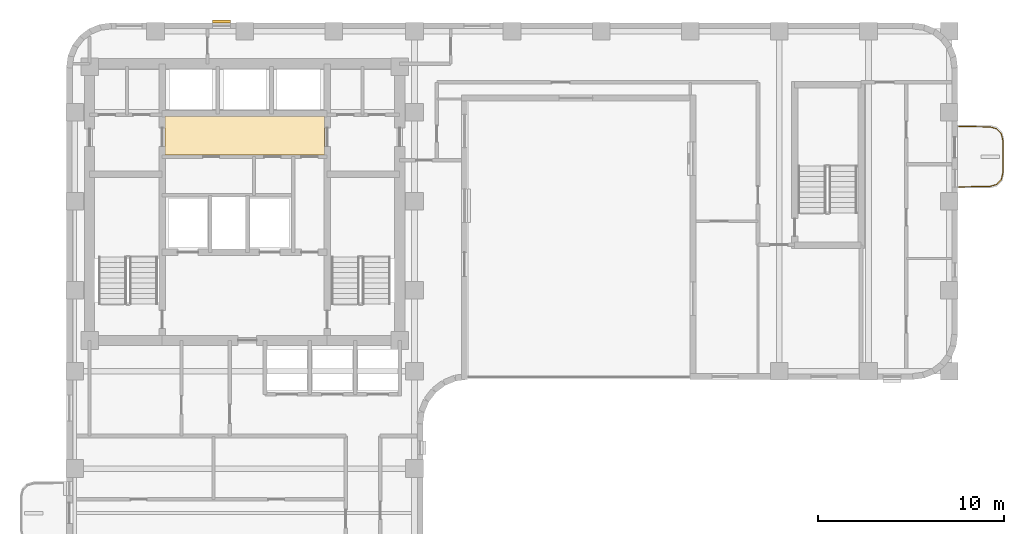
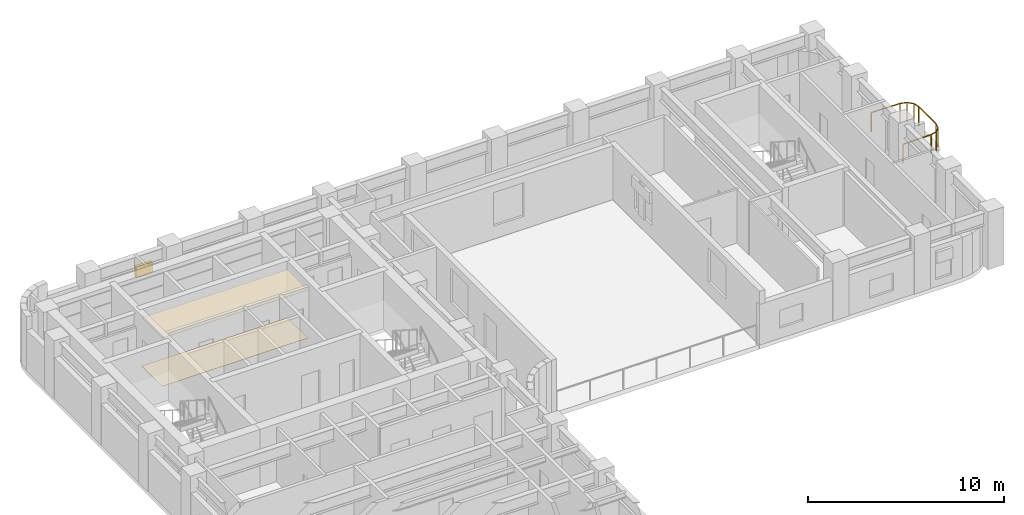
# One storey, part 9 of 9: 2 coverings, 1 railing, 1 shading device.
"""IFC4 building model written with IfcOpenShell, lengths in metres."""

from ifc_helpers import new_model, si_unit, direction, frame, origin, origin_2d, place, context, subcontext, project, spatial, polyline, rectangle, outline, extrude, material, layer, layer_set, type_object, element, save


model = new_model("IFC4")

# Units and contexts
model_context = context("Model", 3, precision=1e-05, world=origin(), true_north=direction((0.0, 1.0)))
body_context = subcontext(model_context, "Body", "Model", "MODEL_VIEW")
ifc_project = project(units=[si_unit("LENGTHUNIT", "METRE"), si_unit("AREAUNIT", "SQUARE_METRE"), si_unit("VOLUMEUNIT", "CUBIC_METRE"), si_unit("PLANEANGLEUNIT", "RADIAN"), si_unit("MASSUNIT", "GRAM", prefix="KILO")], contexts=[model_context])

# Site, building, storey
site_placement = place(None, origin())
site = spatial("IfcSite", under=ifc_project, at=site_placement, CompositionType="ELEMENT")
building_placement = place(site_placement, origin())
building = spatial("IfcBuilding", under=site, at=building_placement, Name="Orvandelia Arch Residences", CompositionType="ELEMENT")
storey_placement = place(building_placement, frame((0.0, 0.0, 154.0)))
storey = spatial("IfcBuildingStorey", under=building, at=storey_placement, Name="L40", CompositionType="ELEMENT", Elevation=154.0)

# Coverings
ifc_material_1 = material(Name="Perforated Acoustic Mineral-Fibre Ceiling")
ifc_layer_1 = layer(ifc_material_1, 0.02490234375, Name="Perforated Acoustic Mineral-Fibre Ceiling")
ifc_layer_set_1 = layer_set([ifc_layer_1], Name="Perforated Acoustic Mineral-Fibre Ceiling")
covering_type_1 = type_object("IfcCoveringType", Name="COV-CEIL-ACOUSTIC", PredefinedType="CEILING", material=ifc_layer_set_1)
covering_1_placement = place(storey_placement, frame((0.0, 0.0, 3.010009765625)))
element("IfcCovering", 1, at=covering_1_placement, inside=storey, type_object=covering_type_1, Name="Lift Hall Suspended Acoustic Ceiling L40", PredefinedType="CEILING", context=body_context, shape_type="SweptSolid", body=[
    extrude(outline(polyline([(10.10009765625, 40.8798828125), (18.699951171875, 40.8798828125), (18.699951171875, 42.97998046875), (10.10009765625, 42.97998046875), (10.10009765625, 40.8798828125)])), origin(), (0.0, 0.0, 1.0), 0.02490234375),
])
ifc_material_2 = material(Name="Engineered Oak Flooring")
ifc_layer_2 = layer(ifc_material_2, 0.02001953125, Name="Engineered Oak Flooring")
ifc_layer_set_2 = layer_set([ifc_layer_2], Name="Engineered Oak Flooring")
covering_type_2 = type_object("IfcCoveringType", Name="COV-FLOOR-TIMBER", PredefinedType="FLOORING", material=ifc_layer_set_2)
covering_2_placement = place(storey_placement, origin())
element("IfcCovering", 2, at=covering_2_placement, inside=storey, type_object=covering_type_2, Name="Lift Hall Finish Flooring L40", PredefinedType="FLOORING", context=body_context, shape_type="SweptSolid", body=[
    extrude(outline(polyline([(10.10009765625, 40.8798828125), (18.699951171875, 40.8798828125), (18.699951171875, 42.97998046875), (10.10009765625, 42.97998046875), (10.10009765625, 40.8798828125)])), origin(), (0.0, 0.0, 1.0), 0.02001953125),
])

# Railing
ifc_material_3 = material(Name="Marine-Grade Stainless Steel 316", Category="steel")
railing_type = type_object("IfcRailingType", Name="GRD-BAL-1200", PredefinedType="BALUSTRADE", material=ifc_material_3)
railing_placement = place(storey_placement, frame((52.871826171875, 39.169677734375, 0.0)))
element("IfcRailing", 3, at=railing_placement, inside=storey, type_object=railing_type, Name="Safety Balustrade Guard GRD-L40-BAL-L40-E1-1", PredefinedType="BALUSTRADE", context=body_context, shape_type="SweptSolid", body=[
    extrude(rectangle(XDim=0.048095703125, YDim=0.048095703125, at=origin_2d()), frame((0.0, 0.0, 1.19580078125), z_axis=(0.999837384468, 0.018033430643, 0.0), x_axis=(-0.018033430643, 0.999837384468, 0.0)), (0.0, 0.0, 1.0), 1.6787109375),
    extrude(rectangle(XDim=0.048095703125, YDim=0.048095703125, at=origin_2d()), frame((1.678466796875, 0.0302734375, 1.19580078125), z_axis=(0.96348920644, 0.267747173792, 0.0), x_axis=(-0.267747173792, 0.96348920644, 0.0)), (0.0, 0.0, 1.0), 0.36572265625),
    extrude(rectangle(XDim=0.048095703125, YDim=0.048095703125, at=origin_2d()), frame((2.03076171875, 0.128173828125, 1.19580078125), z_axis=(0.687947031175, 0.725760898848, 0.0), x_axis=(-0.725760898848, 0.687947031175, 0.0)), (0.0, 0.0, 1.0), 0.367919921875),
    extrude(rectangle(XDim=0.048095703125, YDim=0.048095703125, at=origin_2d()), frame((2.283935546875, 0.395263671875, 1.19580078125), z_axis=(0.221225034864, 0.975222786828, 0.0), x_axis=(-0.975222786828, 0.221225034864, 0.0)), (0.0, 0.0, 1.0), 0.373046875),
    extrude(rectangle(XDim=0.048095703125, YDim=0.048095703125, at=origin_2d()), frame((2.366455078125, 0.759033203125, 1.19580078125), z_axis=(0.0, 1.0, 0.0), x_axis=(-1.0, 0.0, 0.0)), (0.0, 0.0, 1.0), 1.74267578125),
    extrude(rectangle(XDim=0.048095703125, YDim=0.048095703125, at=origin_2d()), frame((2.366455078125, 2.501708984375, 1.19580078125), z_axis=(-0.221225034864, 0.975222786828, 0.0), x_axis=(-0.975222786828, -0.221225034864, 0.0)), (0.0, 0.0, 1.0), 0.373046875),
    extrude(rectangle(XDim=0.048095703125, YDim=0.048095703125, at=origin_2d()), frame((2.283935546875, 2.865478515625, 1.19580078125), z_axis=(-0.688278345278, 0.725446703364, 0.0), x_axis=(-0.725446703364, -0.688278345278, 0.0)), (0.0, 0.0, 1.0), 0.367919921875),
    extrude(rectangle(XDim=0.048095703125, YDim=0.048095703125, at=origin_2d()), frame((2.03076171875, 3.13232421875, 1.19580078125), z_axis=(-0.96348920644, 0.267747173792, 0.0), x_axis=(-0.267747173792, -0.96348920644, 0.0)), (0.0, 0.0, 1.0), 0.36572265625),
    extrude(rectangle(XDim=0.048095703125, YDim=0.048095703125, at=origin_2d()), frame((1.678466796875, 3.230224609375, 1.19580078125), z_axis=(-0.999834751713, 0.018178813668, 0.0), x_axis=(-0.018178813668, -0.999834751713, 0.0)), (0.0, 0.0, 1.0), 1.6787109375),
    extrude(rectangle(XDim=0.0419921875, YDim=0.0419921875, at=origin_2d()), origin(), (0.0, 0.0, 1.0), 1.171875),
    extrude(rectangle(XDim=0.0419921875, YDim=0.0419921875, at=origin_2d()), frame((1.678466796875, 0.0302734375, 0.0)), (0.0, 0.0, 1.0), 1.171875),
    extrude(rectangle(XDim=0.0419921875, YDim=0.0419921875, at=origin_2d()), frame((2.03076171875, 0.128173828125, 0.0)), (0.0, 0.0, 1.0), 1.171875),
    extrude(rectangle(XDim=0.0419921875, YDim=0.0419921875, at=origin_2d()), frame((2.283935546875, 0.395263671875, 0.0)), (0.0, 0.0, 1.0), 1.171875),
    extrude(rectangle(XDim=0.0419921875, YDim=0.0419921875, at=origin_2d()), frame((2.366455078125, 0.759033203125, 0.0)), (0.0, 0.0, 1.0), 1.171875),
    extrude(rectangle(XDim=0.0419921875, YDim=0.0419921875, at=origin_2d()), frame((2.366455078125, 2.501708984375, 0.0)), (0.0, 0.0, 1.0), 1.171875),
    extrude(rectangle(XDim=0.0419921875, YDim=0.0419921875, at=origin_2d()), frame((2.283935546875, 2.865478515625, 0.0)), (0.0, 0.0, 1.0), 1.171875),
    extrude(rectangle(XDim=0.0419921875, YDim=0.0419921875, at=origin_2d()), frame((2.03076171875, 3.13232421875, 0.0)), (0.0, 0.0, 1.0), 1.171875),
    extrude(rectangle(XDim=0.0419921875, YDim=0.0419921875, at=origin_2d()), frame((1.678466796875, 3.230224609375, 0.0)), (0.0, 0.0, 1.0), 1.171875),
    extrude(rectangle(XDim=0.0419921875, YDim=0.0419921875, at=origin_2d()), frame((0.0, 3.2607421875, 0.0)), (0.0, 0.0, 1.0), 1.171875),
])

# Shading device
ifc_material_4 = material(Name="Anodised Champagne-Bronze Extruded Aluminium", Category="aluminium")
shading_device_type = type_object("IfcShadingDeviceType", Name="SHD-JALOUSIE-SCREEN", PredefinedType="JALOUSIE", material=ifc_material_4)
shading_device_placement = place(storey_placement, frame((13.152587890625, 48.080078125, 1.5498046875), z_axis=(0.0, 0.0, 1.0), x_axis=(1.0, 0.0, 0.0)))
element("IfcShadingDevice", 4, at=shading_device_placement, inside=storey, type_object=shading_device_type, Name="Bronze Jalousie Sun-Shade L40-001", PredefinedType="JALOUSIE", context=body_context, shape_type="SweptSolid", body=[
    extrude(rectangle(XDim=0.949951171875, YDim=0.159912109375, at=origin_2d()), origin(), (0.0, 0.0, 1.0), 0.699951171875),
])

save(model, "model.ifc")
